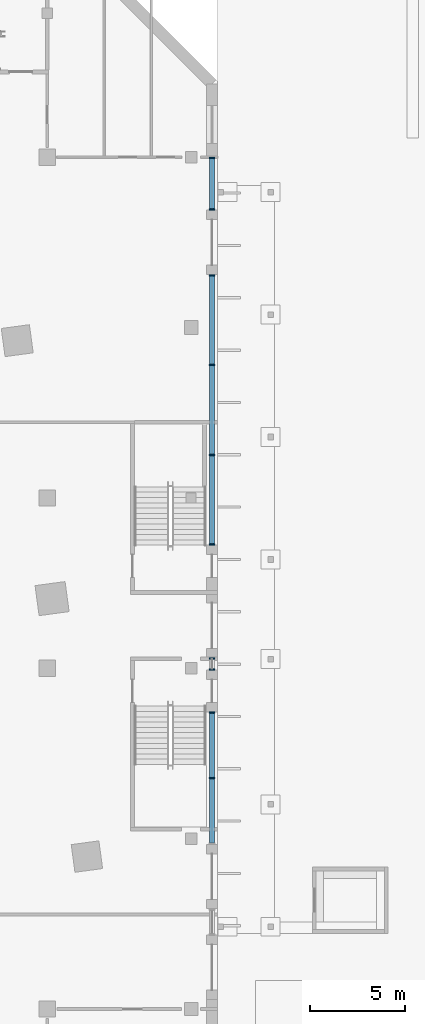
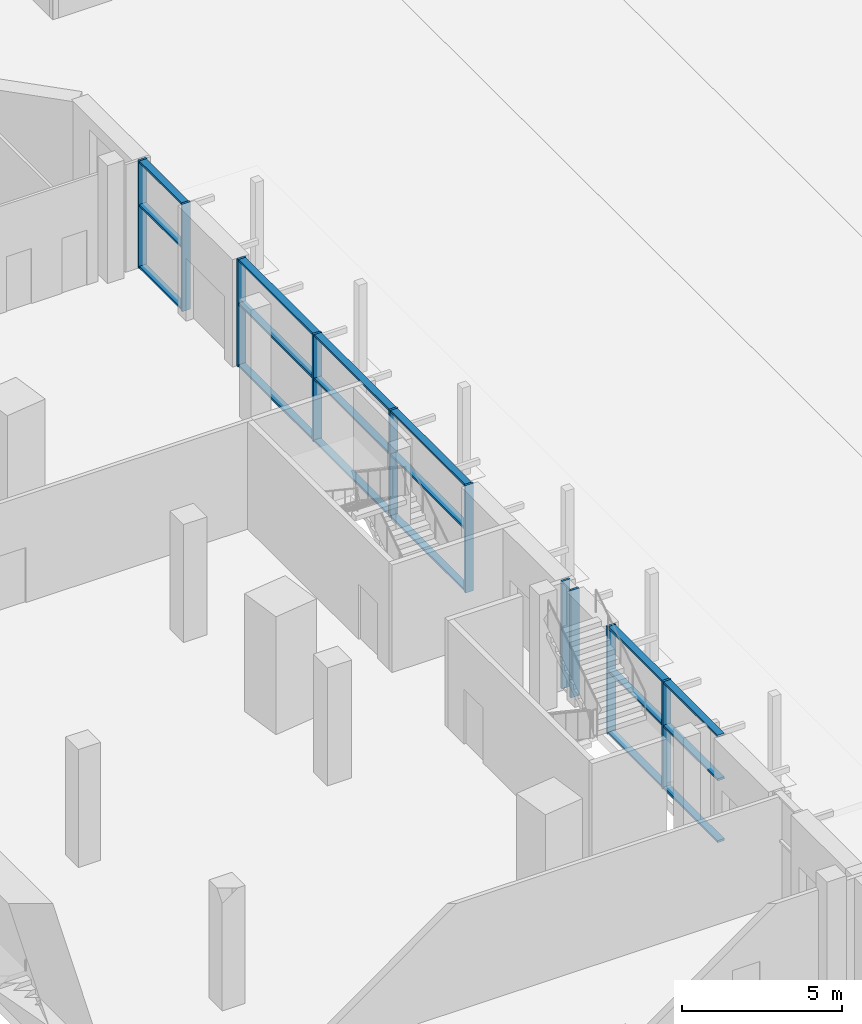
# One storey, part 13 of 42: 28 members, 4 elements without a shape of their own.
"""IFC4 building model written with IfcOpenShell, lengths in metres."""

from ifc_helpers import new_model, si_unit, direction, frame, origin, origin_2d, place, context, subcontext, project, spatial, rectangle, extrude, material, material_profile, profile_set, type_object, element, aggregate, save


model = new_model("IFC4")

# Units and contexts
model_context = context("Model", 3, precision=1e-05, world=origin(), true_north=direction((0.0, 1.0)))
body_context = subcontext(model_context, "Body", "Model", "MODEL_VIEW")
ifc_project = project(units=[si_unit("LENGTHUNIT", "METRE"), si_unit("AREAUNIT", "SQUARE_METRE"), si_unit("VOLUMEUNIT", "CUBIC_METRE"), si_unit("PLANEANGLEUNIT", "RADIAN"), si_unit("MASSUNIT", "GRAM", prefix="KILO")], contexts=[model_context])

# Site, building, storey
site_placement = place(None, origin())
site = spatial("IfcSite", under=ifc_project, at=site_placement, CompositionType="ELEMENT")
building_placement = place(site_placement, origin())
building = spatial("IfcBuilding", under=site, at=building_placement, Name="Dilmun Exchange Tower", CompositionType="ELEMENT")
storey_placement = place(building_placement, origin())
storey = spatial("IfcBuildingStorey", under=building, at=storey_placement, Name="L00", CompositionType="ELEMENT", Elevation=0.0)

# Curtain wall, members
ifc_material_1 = material(Name="Anodised aluminium and clear glass", Category="aluminium")
curtain_wall_type = type_object("IfcCurtainWallType", Name="Concourse glazing", PredefinedType="NOTDEFINED", material=ifc_material_1)
curtain_wall_1_placement = place(storey_placement, origin())
curtain_wall_1 = element("IfcCurtainWall", 1, at=curtain_wall_1_placement, inside=storey, type_object=curtain_wall_type, Name="Concourse glazing run CG3.7", PredefinedType="NOTDEFINED")
ifc_material_2 = material(Name="Anodised aluminium", Category="aluminium")
ifc_material_profile_1 = material_profile(ifc_material_2, rectangle(XDim=0.300048828125, YDim=0.080078125, at=origin_2d()), Name="AL 80x300")
ifc_profile_set_1 = profile_set([ifc_material_profile_1], Name="Anodised aluminium")
member_type_1 = type_object("IfcMemberType", Name="Concourse glazing mullion 80 x 300", PredefinedType="MULLION", material=ifc_profile_set_1)
member_1_placement = place(storey_placement, frame((35.699951171875, -5.800048828125, 0.0), z_axis=(0.0, 0.0, 1.0), x_axis=(-1.0, 0.0, 0.0)))
member_1 = element("IfcMember", 2, at=member_1_placement, type_object=member_type_1, Name="CG3.7 mullion 2", PredefinedType="MULLION", context=body_context, shape_type="SweptSolid", body=[
    extrude(rectangle(XDim=0.300048828125, YDim=0.080078125, at=origin_2d()), origin(), (0.0, 0.0, 1.0), 4.10009765625),
])
member_2_placement = place(storey_placement, frame((35.699951171875, -2.340087890625, 0.0), z_axis=(0.0, 0.0, 1.0), x_axis=(-1.0, 0.0, 0.0)))
member_2 = element("IfcMember", 3, at=member_2_placement, type_object=member_type_1, Name="CG3.7 mullion 3", PredefinedType="MULLION", context=body_context, shape_type="SweptSolid", body=[
    extrude(rectangle(XDim=0.300048828125, YDim=0.080078125, at=origin_2d()), origin(), (0.0, 0.0, 1.0), 4.10009765625),
])

curtain_wall_2_placement = place(storey_placement, origin())
curtain_wall_2 = element("IfcCurtainWall", 4, at=curtain_wall_2_placement, inside=storey, type_object=curtain_wall_type, Name="Concourse glazing run CG3.9", PredefinedType="NOTDEFINED")
member_3_placement = place(storey_placement, frame((35.699951171875, -0.06005859375, 0.0), z_axis=(0.0, 0.0, 1.0), x_axis=(-1.0, 0.0, 0.0)))
member_3 = element("IfcMember", 5, at=member_3_placement, type_object=member_type_1, Name="CG3.9 mullion 1", PredefinedType="MULLION", context=body_context, shape_type="SweptSolid", body=[
    extrude(rectangle(XDim=0.300048828125, YDim=0.080078125, at=origin_2d()), origin(), (0.0, 0.0, 1.0), 4.10009765625),
])
member_4_placement = place(storey_placement, frame((35.699951171875, 0.510009765625, 0.0), z_axis=(0.0, 0.0, 1.0), x_axis=(-1.0, 0.0, 0.0)))
member_4 = element("IfcMember", 6, at=member_4_placement, type_object=member_type_1, Name="CG3.9 mullion 2", PredefinedType="MULLION", context=body_context, shape_type="SweptSolid", body=[
    extrude(rectangle(XDim=0.300048828125, YDim=0.080078125, at=origin_2d()), origin(), (0.0, 0.0, 1.0), 4.10009765625),
])
aggregate(curtain_wall_2, [member_3, member_4])

curtain_wall_3_placement = place(storey_placement, origin())
curtain_wall_3 = element("IfcCurtainWall", 7, at=curtain_wall_3_placement, inside=storey, type_object=curtain_wall_type, Name="Concourse glazing run CG3.11", PredefinedType="NOTDEFINED")
member_5_placement = place(storey_placement, frame((35.699951171875, 6.5400390625, 0.0), z_axis=(0.0, 0.0, 1.0), x_axis=(-1.0, 0.0, 0.0)))
member_5 = element("IfcMember", 8, at=member_5_placement, type_object=member_type_1, Name="CG3.11 mullion 1", PredefinedType="MULLION", context=body_context, shape_type="SweptSolid", body=[
    extrude(rectangle(XDim=0.300048828125, YDim=0.080078125, at=origin_2d()), origin(), (0.0, 0.0, 1.0), 4.10009765625),
])
member_6_placement = place(storey_placement, frame((35.699951171875, 11.2666015625, 0.0), z_axis=(0.0, 0.0, 1.0), x_axis=(-1.0, 0.0, 0.0)))
member_6 = element("IfcMember", 9, at=member_6_placement, type_object=member_type_1, Name="CG3.11 mullion 2", PredefinedType="MULLION", context=body_context, shape_type="SweptSolid", body=[
    extrude(rectangle(XDim=0.300048828125, YDim=0.080078125, at=origin_2d()), origin(), (0.0, 0.0, 1.0), 4.10009765625),
])
member_7_placement = place(storey_placement, frame((35.699951171875, 16.033447265625, 0.0), z_axis=(0.0, 0.0, 1.0), x_axis=(-1.0, 0.0, 0.0)))
member_7 = element("IfcMember", 10, at=member_7_placement, type_object=member_type_1, Name="CG3.11 mullion 3", PredefinedType="MULLION", context=body_context, shape_type="SweptSolid", body=[
    extrude(rectangle(XDim=0.300048828125, YDim=0.080078125, at=origin_2d()), origin(), (0.0, 0.0, 1.0), 4.10009765625),
])
member_8_placement = place(storey_placement, frame((35.699951171875, 20.760009765625, 0.0), z_axis=(0.0, 0.0, 1.0), x_axis=(-1.0, 0.0, 0.0)))
member_8 = element("IfcMember", 11, at=member_8_placement, type_object=member_type_1, Name="CG3.11 mullion 4", PredefinedType="MULLION", context=body_context, shape_type="SweptSolid", body=[
    extrude(rectangle(XDim=0.300048828125, YDim=0.080078125, at=origin_2d()), origin(), (0.0, 0.0, 1.0), 4.10009765625),
])

curtain_wall_4_placement = place(storey_placement, origin())
curtain_wall_4 = element("IfcCurtainWall", 12, at=curtain_wall_4_placement, inside=storey, type_object=curtain_wall_type, Name="Concourse glazing run CG3.13", PredefinedType="NOTDEFINED")
member_9_placement = place(storey_placement, frame((35.699951171875, 24.239990234375, 0.0), z_axis=(0.0, 0.0, 1.0), x_axis=(-1.0, 0.0, 0.0)))
member_9 = element("IfcMember", 13, at=member_9_placement, type_object=member_type_1, Name="CG3.13 mullion 1", PredefinedType="MULLION", context=body_context, shape_type="SweptSolid", body=[
    extrude(rectangle(XDim=0.300048828125, YDim=0.080078125, at=origin_2d()), origin(), (0.0, 0.0, 1.0), 4.10009765625),
])
member_10_placement = place(storey_placement, frame((35.699951171875, 26.9599609375, 0.0), z_axis=(0.0, 0.0, 1.0), x_axis=(-1.0, 0.0, 0.0)))
member_10 = element("IfcMember", 14, at=member_10_placement, type_object=member_type_1, Name="CG3.13 mullion 2", PredefinedType="MULLION", context=body_context, shape_type="SweptSolid", body=[
    extrude(rectangle(XDim=0.300048828125, YDim=0.080078125, at=origin_2d()), origin(), (0.0, 0.0, 1.0), 4.10009765625),
])

# Member
ifc_material_profile_2 = material_profile(ifc_material_2, rectangle(XDim=0.25, YDim=0.080078125, at=origin_2d()), Name="AL 80x250")
ifc_profile_set_2 = profile_set([ifc_material_profile_2], Name="Anodised aluminium")
member_type_2 = type_object("IfcMemberType", Name="Concourse glazing transom 80 x 250", PredefinedType="USERDEFINED", material=ifc_profile_set_2)
member_11_placement = place(storey_placement, frame((35.699951171875, -9.219970703125, 0.0400390625), z_axis=(0.0, 1.0, 0.0), x_axis=(-1.0, 0.0, 0.0)))
member_11 = element("IfcMember", 15, at=member_11_placement, type_object=member_type_2, Name="CG3.7 transom 1.1", ObjectType="TRANSOM", PredefinedType="USERDEFINED", context=body_context, shape_type="SweptSolid", body=[
    extrude(rectangle(XDim=0.25, YDim=0.080078125, at=origin_2d()), origin(), (0.0, 0.0, 1.0), 3.3798828125),
])

member_12_placement = place(storey_placement, frame((35.699951171875, -9.219970703125, 2.39990234375), z_axis=(0.0, 1.0, 0.0), x_axis=(-1.0, 0.0, 0.0)))
member_12 = element("IfcMember", 16, at=member_12_placement, type_object=member_type_2, Name="CG3.7 transom 1.2", ObjectType="TRANSOM", PredefinedType="USERDEFINED", context=body_context, shape_type="SweptSolid", body=[
    extrude(rectangle(XDim=0.25, YDim=0.080078125, at=origin_2d()), origin(), (0.0, 0.0, 1.0), 3.3798828125),
])

member_13_placement = place(storey_placement, frame((35.699951171875, -9.219970703125, 4.06005859375), z_axis=(0.0, 1.0, 0.0), x_axis=(-1.0, 0.0, 0.0)))
member_13 = element("IfcMember", 17, at=member_13_placement, type_object=member_type_2, Name="CG3.7 transom 1.3", ObjectType="TRANSOM", PredefinedType="USERDEFINED", context=body_context, shape_type="SweptSolid", body=[
    extrude(rectangle(XDim=0.25, YDim=0.080078125, at=origin_2d()), origin(), (0.0, 0.0, 1.0), 3.3798828125),
])

member_14_placement = place(storey_placement, frame((35.699951171875, -5.760009765625, 0.0400390625), z_axis=(0.0, 1.0, 0.0), x_axis=(-1.0, 0.0, 0.0)))
member_14 = element("IfcMember", 18, at=member_14_placement, type_object=member_type_2, Name="CG3.7 transom 2.1", ObjectType="TRANSOM", PredefinedType="USERDEFINED", context=body_context, shape_type="SweptSolid", body=[
    extrude(rectangle(XDim=0.25, YDim=0.080078125, at=origin_2d()), origin(), (0.0, 0.0, 1.0), 3.380126953125),
])

member_15_placement = place(storey_placement, frame((35.699951171875, -5.760009765625, 2.39990234375), z_axis=(0.0, 1.0, 0.0), x_axis=(-1.0, 0.0, 0.0)))
member_15 = element("IfcMember", 19, at=member_15_placement, type_object=member_type_2, Name="CG3.7 transom 2.2", ObjectType="TRANSOM", PredefinedType="USERDEFINED", context=body_context, shape_type="SweptSolid", body=[
    extrude(rectangle(XDim=0.25, YDim=0.080078125, at=origin_2d()), origin(), (0.0, 0.0, 1.0), 3.380126953125),
])

member_16_placement = place(storey_placement, frame((35.699951171875, -5.760009765625, 4.06005859375), z_axis=(0.0, 1.0, 0.0), x_axis=(-1.0, 0.0, 0.0)))
member_16 = element("IfcMember", 20, at=member_16_placement, type_object=member_type_2, Name="CG3.7 transom 2.3", ObjectType="TRANSOM", PredefinedType="USERDEFINED", context=body_context, shape_type="SweptSolid", body=[
    extrude(rectangle(XDim=0.25, YDim=0.080078125, at=origin_2d()), origin(), (0.0, 0.0, 1.0), 3.380126953125),
])

aggregate(curtain_wall_1, [member_1, member_2, member_11, member_12, member_13, member_14, member_15, member_16])

member_17_placement = place(storey_placement, frame((35.699951171875, 6.580078125, 0.0400390625), z_axis=(0.0, 1.0, 0.0), x_axis=(-1.0, 0.0, 0.0)))
member_17 = element("IfcMember", 21, at=member_17_placement, type_object=member_type_2, Name="CG3.11 transom 1.1", ObjectType="TRANSOM", PredefinedType="USERDEFINED", context=body_context, shape_type="SweptSolid", body=[
    extrude(rectangle(XDim=0.25, YDim=0.080078125, at=origin_2d()), origin(), (0.0, 0.0, 1.0), 4.646484375),
])

member_18_placement = place(storey_placement, frame((35.699951171875, 6.580078125, 2.39990234375), z_axis=(0.0, 1.0, 0.0), x_axis=(-1.0, 0.0, 0.0)))
member_18 = element("IfcMember", 22, at=member_18_placement, type_object=member_type_2, Name="CG3.11 transom 1.2", ObjectType="TRANSOM", PredefinedType="USERDEFINED", context=body_context, shape_type="SweptSolid", body=[
    extrude(rectangle(XDim=0.25, YDim=0.080078125, at=origin_2d()), origin(), (0.0, 0.0, 1.0), 4.646484375),
])

member_19_placement = place(storey_placement, frame((35.699951171875, 6.580078125, 4.06005859375), z_axis=(0.0, 1.0, 0.0), x_axis=(-1.0, 0.0, 0.0)))
member_19 = element("IfcMember", 23, at=member_19_placement, type_object=member_type_2, Name="CG3.11 transom 1.3", ObjectType="TRANSOM", PredefinedType="USERDEFINED", context=body_context, shape_type="SweptSolid", body=[
    extrude(rectangle(XDim=0.25, YDim=0.080078125, at=origin_2d()), origin(), (0.0, 0.0, 1.0), 4.646484375),
])

member_20_placement = place(storey_placement, frame((35.699951171875, 11.306640625, 0.0400390625), z_axis=(0.0, 1.0, 0.0), x_axis=(-1.0, 0.0, 0.0)))
member_20 = element("IfcMember", 24, at=member_20_placement, type_object=member_type_2, Name="CG3.11 transom 2.1", ObjectType="TRANSOM", PredefinedType="USERDEFINED", context=body_context, shape_type="SweptSolid", body=[
    extrude(rectangle(XDim=0.25, YDim=0.080078125, at=origin_2d()), origin(), (0.0, 0.0, 1.0), 4.686767578125),
])

member_21_placement = place(storey_placement, frame((35.699951171875, 11.306640625, 2.39990234375), z_axis=(0.0, 1.0, 0.0), x_axis=(-1.0, 0.0, 0.0)))
member_21 = element("IfcMember", 25, at=member_21_placement, type_object=member_type_2, Name="CG3.11 transom 2.2", ObjectType="TRANSOM", PredefinedType="USERDEFINED", context=body_context, shape_type="SweptSolid", body=[
    extrude(rectangle(XDim=0.25, YDim=0.080078125, at=origin_2d()), origin(), (0.0, 0.0, 1.0), 4.686767578125),
])

member_22_placement = place(storey_placement, frame((35.699951171875, 11.306640625, 4.06005859375), z_axis=(0.0, 1.0, 0.0), x_axis=(-1.0, 0.0, 0.0)))
member_22 = element("IfcMember", 26, at=member_22_placement, type_object=member_type_2, Name="CG3.11 transom 2.3", ObjectType="TRANSOM", PredefinedType="USERDEFINED", context=body_context, shape_type="SweptSolid", body=[
    extrude(rectangle(XDim=0.25, YDim=0.080078125, at=origin_2d()), origin(), (0.0, 0.0, 1.0), 4.686767578125),
])

member_23_placement = place(storey_placement, frame((35.699951171875, 16.0732421875, 0.0400390625), z_axis=(0.0, 1.0, 0.0), x_axis=(-1.0, 0.0, 0.0)))
member_23 = element("IfcMember", 27, at=member_23_placement, type_object=member_type_2, Name="CG3.11 transom 3.1", ObjectType="TRANSOM", PredefinedType="USERDEFINED", context=body_context, shape_type="SweptSolid", body=[
    extrude(rectangle(XDim=0.25, YDim=0.080078125, at=origin_2d()), origin(), (0.0, 0.0, 1.0), 4.646728515625),
])

member_24_placement = place(storey_placement, frame((35.699951171875, 16.0732421875, 2.39990234375), z_axis=(0.0, 1.0, 0.0), x_axis=(-1.0, 0.0, 0.0)))
member_24 = element("IfcMember", 28, at=member_24_placement, type_object=member_type_2, Name="CG3.11 transom 3.2", ObjectType="TRANSOM", PredefinedType="USERDEFINED", context=body_context, shape_type="SweptSolid", body=[
    extrude(rectangle(XDim=0.25, YDim=0.080078125, at=origin_2d()), origin(), (0.0, 0.0, 1.0), 4.646728515625),
])

member_25_placement = place(storey_placement, frame((35.699951171875, 16.0732421875, 4.06005859375), z_axis=(0.0, 1.0, 0.0), x_axis=(-1.0, 0.0, 0.0)))
member_25 = element("IfcMember", 29, at=member_25_placement, type_object=member_type_2, Name="CG3.11 transom 3.3", ObjectType="TRANSOM", PredefinedType="USERDEFINED", context=body_context, shape_type="SweptSolid", body=[
    extrude(rectangle(XDim=0.25, YDim=0.080078125, at=origin_2d()), origin(), (0.0, 0.0, 1.0), 4.646728515625),
])

aggregate(curtain_wall_3, [member_5, member_6, member_7, member_8, member_17, member_18, member_19, member_20, member_21, member_22, member_23, member_24, member_25])

member_26_placement = place(storey_placement, frame((35.699951171875, 24.280029296875, 0.0400390625), z_axis=(0.0, 1.0, 0.0), x_axis=(-1.0, 0.0, 0.0)))
member_26 = element("IfcMember", 30, at=member_26_placement, type_object=member_type_2, Name="CG3.13 transom 1.1", ObjectType="TRANSOM", PredefinedType="USERDEFINED", context=body_context, shape_type="SweptSolid", body=[
    extrude(rectangle(XDim=0.25, YDim=0.080078125, at=origin_2d()), origin(), (0.0, 0.0, 1.0), 2.639892578125),
])

member_27_placement = place(storey_placement, frame((35.699951171875, 24.280029296875, 2.39990234375), z_axis=(0.0, 1.0, 0.0), x_axis=(-1.0, 0.0, 0.0)))
member_27 = element("IfcMember", 31, at=member_27_placement, type_object=member_type_2, Name="CG3.13 transom 1.2", ObjectType="TRANSOM", PredefinedType="USERDEFINED", context=body_context, shape_type="SweptSolid", body=[
    extrude(rectangle(XDim=0.25, YDim=0.080078125, at=origin_2d()), origin(), (0.0, 0.0, 1.0), 2.639892578125),
])

member_28_placement = place(storey_placement, frame((35.699951171875, 24.280029296875, 4.06005859375), z_axis=(0.0, 1.0, 0.0), x_axis=(-1.0, 0.0, 0.0)))
member_28 = element("IfcMember", 32, at=member_28_placement, type_object=member_type_2, Name="CG3.13 transom 1.3", ObjectType="TRANSOM", PredefinedType="USERDEFINED", context=body_context, shape_type="SweptSolid", body=[
    extrude(rectangle(XDim=0.25, YDim=0.080078125, at=origin_2d()), origin(), (0.0, 0.0, 1.0), 2.639892578125),
])

aggregate(curtain_wall_4, [member_9, member_10, member_26, member_27, member_28])

save(model, "model.ifc")
